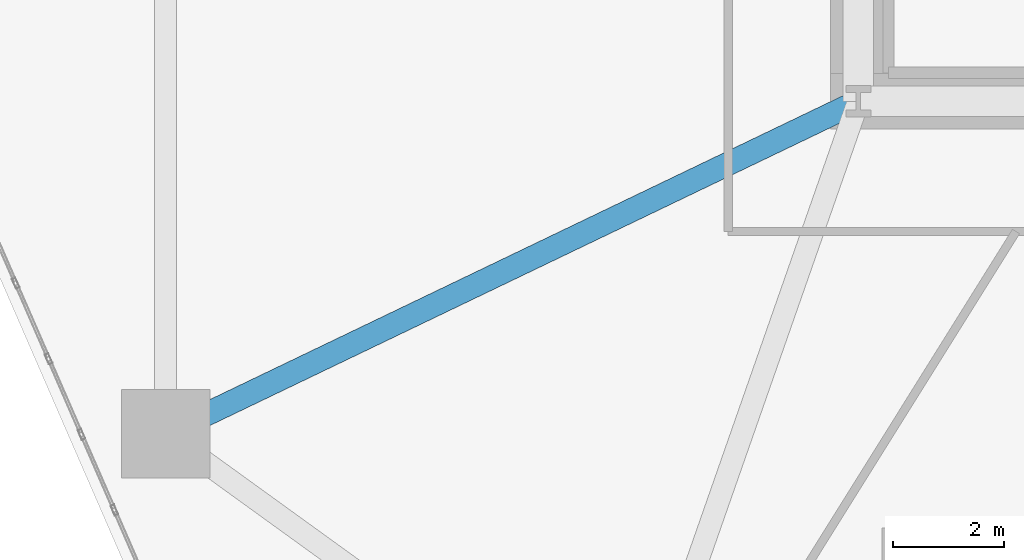
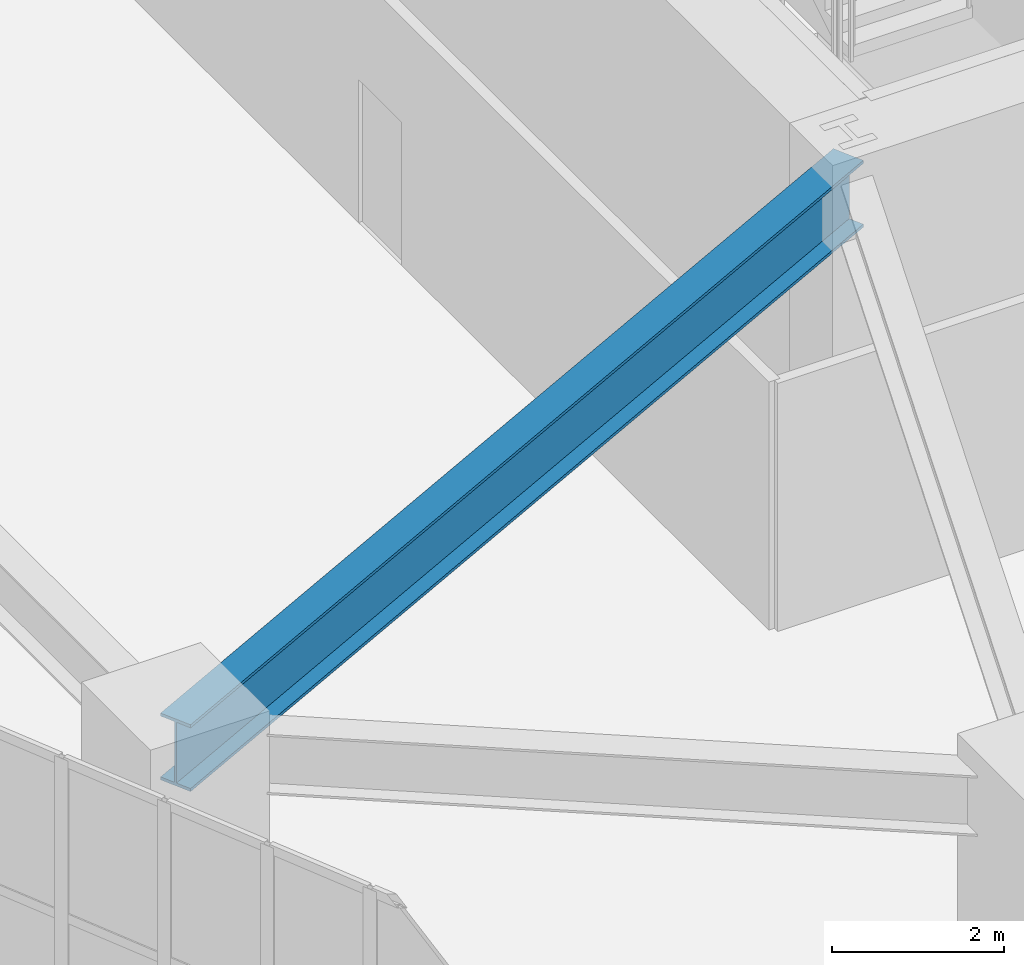
# One storey, part 3 of 17: 1 beam.
"""IFC4 building model written with IfcOpenShell, lengths in metres."""

import ifcopenshell
import ifcopenshell.guid

model = None  # the IFC model being written
_history = None  # IfcOwnerHistory: only IFC2X3 demands one
_inside = {}  # id of a spatial element -> (the spatial element, [elements in it])
_under = {}  # id of a project, library or spatial element -> (it, [spatial elements below it])
_declared = {}  # id of a project -> (the project, [libraries it declares])
_typed = {}  # id of a type object -> (the type object, [elements of that type])
_made_of = {}  # id of a material, layer set ... -> (it, [elements and type objects made of it])


def new_model(schema):
    """Start an empty IFC model of exactly this schema.

    Asked for "IFC4X3", IfcOpenShell would pick the latest addendum, in which some entities
    have other attributes; the version numbers below select the first issue.
    IFC2X3 requires an IfcOwnerHistory on every rooted entity: one is made here for all.
    """
    global model, _history
    if schema == "IFC4X3":
        model = ifcopenshell.file(schema_version=(4, 3, 0, 0))
    else:
        model = ifcopenshell.file(schema=schema)
    _inside.clear()
    _under.clear()
    _declared.clear()
    _typed.clear()
    _made_of.clear()
    _history = None
    if model.schema == "IFC2X3":
        org = make("IfcOrganization", Name="unknown")
        user = make(
            "IfcPersonAndOrganization",
            ThePerson=make("IfcPerson", FamilyName="unknown"),
            TheOrganization=org,
        )
        app = make(
            "IfcApplication",
            ApplicationDeveloper=org,
            Version="unknown",
            ApplicationFullName="unknown",
            ApplicationIdentifier="unknown",
        )
        _history = make(
            "IfcOwnerHistory",
            OwningUser=user,
            OwningApplication=app,
            ChangeAction="ADDED",
            CreationDate=0,
        )
    return model


def make(cls, **values):
    """One entity of the class cls with the attributes given. An attribute that is None is left unset."""
    return model.create_entity(
        cls, **{name: value for name, value in values.items() if value is not None}
    )


def rooted(cls, **values):
    """An entity with a GlobalId (a new one), such as an element, a storey or a relation."""
    return make(cls, GlobalId=ifcopenshell.guid.new(), OwnerHistory=_history, **values)


def si_unit(unit_type, name, prefix=None):
    """IfcSIUnit, for example si_unit("LENGTHUNIT", "METRE", prefix="MILLI")."""
    return make("IfcSIUnit", UnitType=unit_type, Prefix=prefix, Name=name)


def assignment(units):
    """IfcUnitAssignment: the units of a project."""
    return None if units is None else make("IfcUnitAssignment", Units=units)


def point(xyz):
    """IfcCartesianPoint."""
    return None if xyz is None else make("IfcCartesianPoint", Coordinates=xyz)


def direction(xyz):
    """IfcDirection."""
    return None if xyz is None else make("IfcDirection", DirectionRatios=xyz)


def frame(location, z_axis=None, x_axis=None):
    """IfcAxis2Placement3D, a coordinate frame: its origin and axes. An axis left out is left unset."""
    return make(
        "IfcAxis2Placement3D",
        Location=point(location),
        Axis=direction(z_axis),
        RefDirection=direction(x_axis),
    )


def frame_2d(location, x_axis=None):
    """IfcAxis2Placement2D, a coordinate frame in the plane: its origin and x axis."""
    return make(
        "IfcAxis2Placement2D", Location=point(location), RefDirection=direction(x_axis)
    )


def origin():
    """The frame at (0, 0, 0) with its axes left unset."""
    return frame((0.0, 0.0, 0.0))


def origin_2d():
    """The frame at (0, 0) in the plane with its x axis left unset."""
    return frame_2d((0.0, 0.0))


def place(relative_to, where):
    """IfcLocalPlacement: puts the frame where relative to a parent placement (None: the world)."""
    return make(
        "IfcLocalPlacement", PlacementRelTo=relative_to, RelativePlacement=where
    )


def context(
    kind, dimensions, precision=None, world=None, true_north=None, identifier=None
):
    """IfcGeometricRepresentationContext, for example the 3D "Model" context."""
    return make(
        "IfcGeometricRepresentationContext",
        ContextIdentifier=identifier,
        ContextType=kind,
        CoordinateSpaceDimension=dimensions,
        Precision=precision,
        WorldCoordinateSystem=world,
        TrueNorth=true_north,
    )


def subcontext(parent, identifier, kind, view, scale=None):
    """IfcGeometricRepresentationSubContext, for example "Body" below "Model"."""
    return make(
        "IfcGeometricRepresentationSubContext",
        ContextIdentifier=identifier,
        ContextType=kind,
        ParentContext=parent,
        TargetScale=scale,
        TargetView=view,
    )


def project(units=None, contexts=None):
    """IfcProject with its units and contexts."""
    return rooted(
        "IfcProject",
        Name="project",
        RepresentationContexts=contexts,
        UnitsInContext=assignment(units),
    )


def spatial(cls, under=None, at=None, **own):
    """A site, building, storey or space (cls), placed at a placement, below another one or the project."""
    s = rooted(cls, ObjectPlacement=at, **own)
    if under is not None:
        _under.setdefault(under.id(), (under, []))[1].append(s)
    return s


def profile(cls, at=None, kind="AREA", **sizes):
    """A parametric profile (cls). Its sizes go by their IFC names, for example OverallWidth=200.0."""
    return make(cls, ProfileType=kind, Position=at, **sizes)


def i_section(**sizes):
    """IfcIShapeProfileDef."""
    return profile("IfcIShapeProfileDef", **sizes)


def extrude(swept, where, along, depth):
    """IfcExtrudedAreaSolid: the profile swept, set in the frame where, extruded along a direction by depth."""
    return make(
        "IfcExtrudedAreaSolid",
        SweptArea=swept,
        Position=where,
        ExtrudedDirection=direction(along),
        Depth=depth,
    )


def shape(context_of_items, identifier, shape_type, items):
    """IfcShapeRepresentation: the items that make up one representation, for example the "Body"."""
    return make(
        "IfcShapeRepresentation",
        ContextOfItems=context_of_items,
        RepresentationIdentifier=identifier,
        RepresentationType=shape_type,
        Items=items,
    )


def material(Name=None, Category=None):
    """IfcMaterial."""
    return make("IfcMaterial", Name=Name, Category=Category)


def material_profile(
    of_material, cross_section, Name=None, Category=None, Priority=None
):
    """IfcMaterialProfile: a cross section and its material."""
    return make(
        "IfcMaterialProfile",
        Name=Name,
        Material=of_material,
        Profile=cross_section,
        Priority=Priority,
        Category=Category,
    )


def profile_set(profiles, Name=None, composite=None):
    """IfcMaterialProfileSet."""
    return make(
        "IfcMaterialProfileSet",
        Name=Name,
        MaterialProfiles=profiles,
        CompositeProfile=composite,
    )


def made_of(thing, what):
    """Note that an element or type object is made of a material, layer set ...; save() writes the relation."""
    if what is not None:
        _made_of.setdefault(what.id(), (what, []))[1].append(thing)
    return thing


def type_object(cls, material=None, **own):
    """A type object (cls), such as IfcWallType, which elements share."""
    return made_of(rooted(cls, **own), material)


def element(
    cls,
    number,
    at=None,
    inside=None,
    cuts=None,
    type_object=None,
    material=None,
    context=None,
    identifier="Body",
    shape_type=None,
    held_by="IfcProductDefinitionShape",
    body=None,
    shapes=None,
    **own,
):
    """One element of the class cls, such as IfcWall. Its Tag is "e" and its number.

    at: its placement. inside: the storey or other place that contains it. cuts: it is an
    opening in that element (IfcRelVoidsElement). A single representation is given by context,
    identifier, shape_type and body (its items); several are given by shapes. held_by: the class
    of the entity that holds the representations. save() writes the other relations.
    """
    e = rooted(cls, Tag="e%d" % number, ObjectPlacement=at, **own)
    if body is not None:
        shapes = [shape(context, identifier, shape_type, body)]
    if shapes is not None:
        e.Representation = make(held_by, Representations=shapes)
    if inside is not None:
        _inside.setdefault(inside.id(), (inside, []))[1].append(e)
    if cuts is not None:
        rooted(
            "IfcRelVoidsElement", RelatingBuildingElement=cuts, RelatedOpeningElement=e
        )
    if type_object is not None:
        _typed.setdefault(type_object.id(), (type_object, []))[1].append(e)
    return made_of(e, material)


def aggregate(whole, parts):
    """IfcRelAggregates: a whole, such as a stair, and the parts it consists of."""
    return rooted("IfcRelAggregates", RelatingObject=whole, RelatedObjects=parts)


def save(model, path):
    """Write the relations noted so far, then the file.

    IfcRelAggregates (storeys below a building ...), IfcRelContainedInSpatialStructure (elements
    in a storey), IfcRelDefinesByType, IfcRelAssociatesMaterial and IfcRelDeclares: one each for
    every whole, place, type object, material and project.
    """
    for whole, parts in _under.values():
        aggregate(whole, parts)
    for where, things in _inside.values():
        rooted(
            "IfcRelContainedInSpatialStructure",
            RelatedElements=things,
            RelatingStructure=where,
        )
    for kind, things in _typed.values():
        rooted("IfcRelDefinesByType", RelatedObjects=things, RelatingType=kind)
    for what, things in _made_of.values():
        rooted("IfcRelAssociatesMaterial", RelatedObjects=things, RelatingMaterial=what)
    for by, libraries in _declared.values():
        rooted("IfcRelDeclares", RelatingContext=by, RelatedDefinitions=libraries)
    model.write(path)


model = new_model("IFC4")

# Units and contexts
model_context = context("Model", 3, precision=1e-05, world=origin(), true_north=direction((0.0, 1.0)))
body_context = subcontext(model_context, "Body", "Model", "MODEL_VIEW")
ifc_project = project(units=[si_unit("LENGTHUNIT", "METRE"), si_unit("AREAUNIT", "SQUARE_METRE"), si_unit("VOLUMEUNIT", "CUBIC_METRE"), si_unit("PLANEANGLEUNIT", "RADIAN"), si_unit("MASSUNIT", "GRAM", prefix="KILO")], contexts=[model_context])

# Site, building, storey
site_placement = place(None, origin())
site = spatial("IfcSite", under=ifc_project, at=site_placement, CompositionType="ELEMENT")
building_placement = place(site_placement, origin())
building = spatial("IfcBuilding", under=site, at=building_placement, Name="Kilnhurst Terrace Hotel", CompositionType="ELEMENT")
storey_placement = place(building_placement, frame((0.0, 0.0, 18.60009765625)))
storey = spatial("IfcBuildingStorey", under=building, at=storey_placement, Name="L03", CompositionType="ELEMENT", Elevation=18.60009765625)

# Beam
ifc_material = material(Name="Steel ASTM A992 Grade 50", Category="steel")
ifc_material_profile = material_profile(ifc_material, i_section(OverallWidth=0.423095703125, OverallDepth=0.9482421875, WebThickness=0.02392578125, FlangeThickness=0.042724609375, at=origin_2d()), Name="W36X302")
ifc_profile_set = profile_set([ifc_material_profile], Name="Steel ASTM A992 Grade 50")
beam_type = type_object("IfcBeamType", Name="BM-STL-W36X302", PredefinedType="BEAM", material=ifc_profile_set)
beam_placement = place(storey_placement, frame((-21.5, -13.5, 4.005859375), z_axis=(0.901523057468, 0.432731067585, 0.0), x_axis=(-0.432731067585, 0.901523057468, 0.0)))
element("IfcBeam", 1, at=beam_placement, inside=storey, type_object=beam_type, Name="L03 Podium Frame Beam 10", PredefinedType="BEAM", context=body_context, shape_type="SweptSolid", body=[
    extrude(i_section(OverallWidth=0.423095703125, OverallDepth=0.9482421875, WebThickness=0.02392578125, FlangeThickness=0.042724609375, at=origin_2d()), origin(), (0.0, 0.0, 1.0), 13.865478515625),
])

save(model, "model.ifc")
